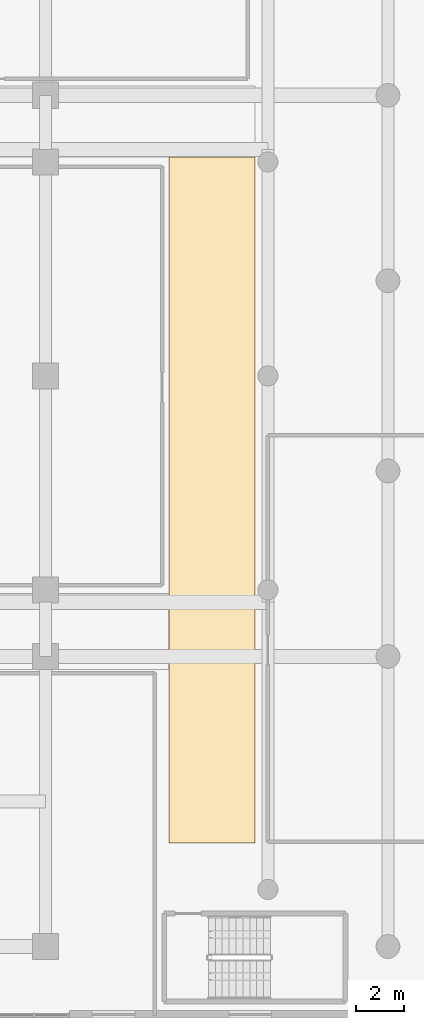
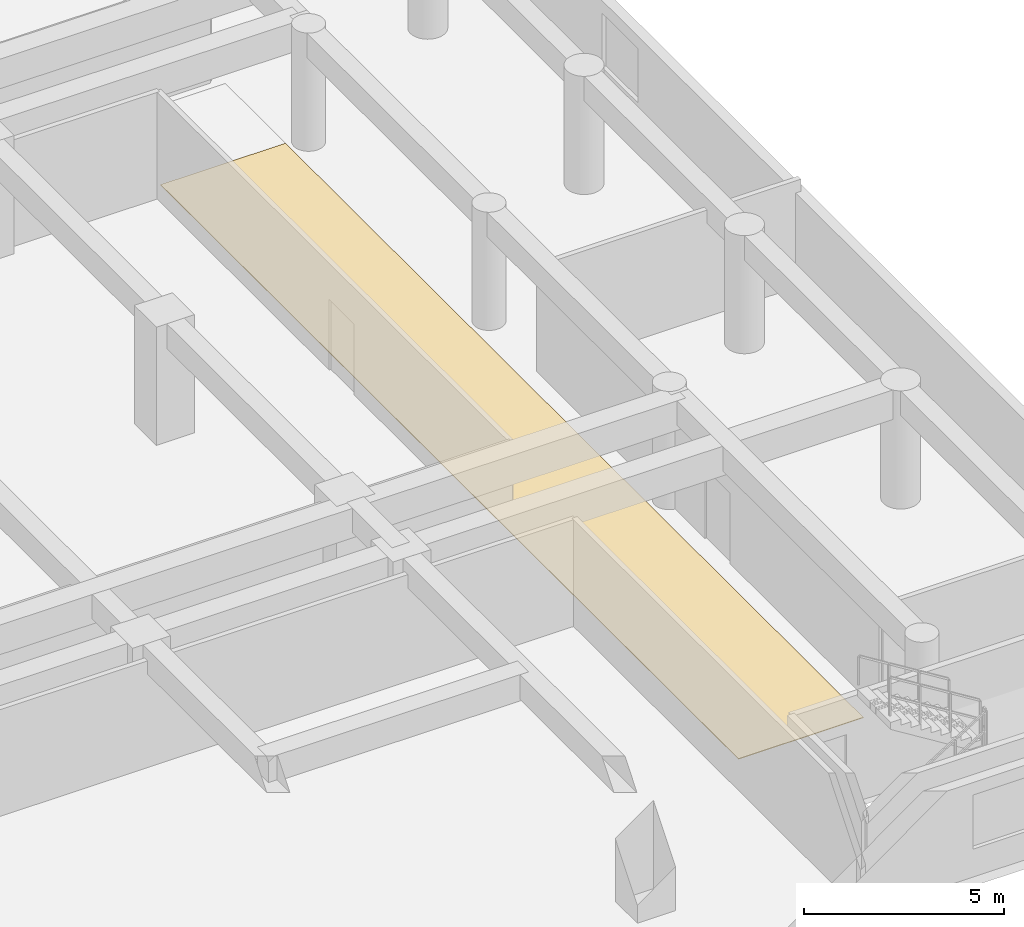
# One storey, part 30 of 30: 1 covering.
"""IFC4 building model written with IfcOpenShell, lengths in metres."""

from ifc_helpers import new_model, si_unit, direction, frame, origin, place, context, subcontext, project, spatial, polyline, outline, extrude, material, layer, layer_set, type_object, element, save


model = new_model("IFC4")

# Units and contexts
model_context = context("Model", 3, precision=1e-05, world=origin(), true_north=direction((0.0, 1.0)))
body_context = subcontext(model_context, "Body", "Model", "MODEL_VIEW")
ifc_project = project(units=[si_unit("LENGTHUNIT", "METRE"), si_unit("AREAUNIT", "SQUARE_METRE"), si_unit("VOLUMEUNIT", "CUBIC_METRE"), si_unit("PLANEANGLEUNIT", "RADIAN"), si_unit("MASSUNIT", "GRAM", prefix="KILO")], contexts=[model_context])

# Site, building, storey
site_placement = place(None, origin())
site = spatial("IfcSite", under=ifc_project, at=site_placement, CompositionType="ELEMENT")
building_placement = place(site_placement, origin())
building = spatial("IfcBuilding", under=site, at=building_placement, Name="Saelheon Loggia Tower", CompositionType="ELEMENT")
storey_placement = place(building_placement, frame((0.0, 0.0, 11.39990234375)))
storey = spatial("IfcBuildingStorey", under=building, at=storey_placement, Name="L03", CompositionType="ELEMENT", Elevation=11.39990234375)

# Covering
ifc_material = material(Name="Vitrified Porcelain Floor Tile", Category="ceramic")
ifc_layer = layer(ifc_material, 0.02001953125)
ifc_layer_set = layer_set([ifc_layer], Name="Vitrified Porcelain Floor Tile")
covering_type = type_object("IfcCoveringType", Name="Cov_Floor_Porcelain", PredefinedType="FLOORING", material=ifc_layer_set)
covering_placement = place(storey_placement, origin())
element("IfcCovering", 1, at=covering_placement, inside=storey, type_object=covering_type, Name="L03 Corridor Porcelain Flooring", PredefinedType="FLOORING", context=body_context, shape_type="SweptSolid", body=[
    extrude(outline(polyline([(64.199951171875, 7.360107421875), (67.800048828125, 7.360107421875), (67.800048828125, 36.199951171875), (64.199951171875, 36.199951171875), (64.199951171875, 7.360107421875)])), origin(), (0.0, 0.0, 1.0), 0.02001953125),
])

save(model, "model.ifc")
